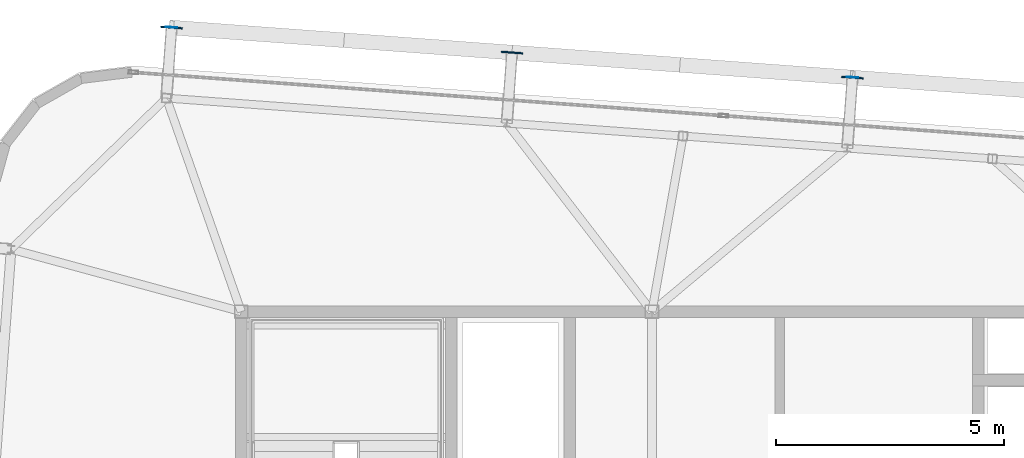
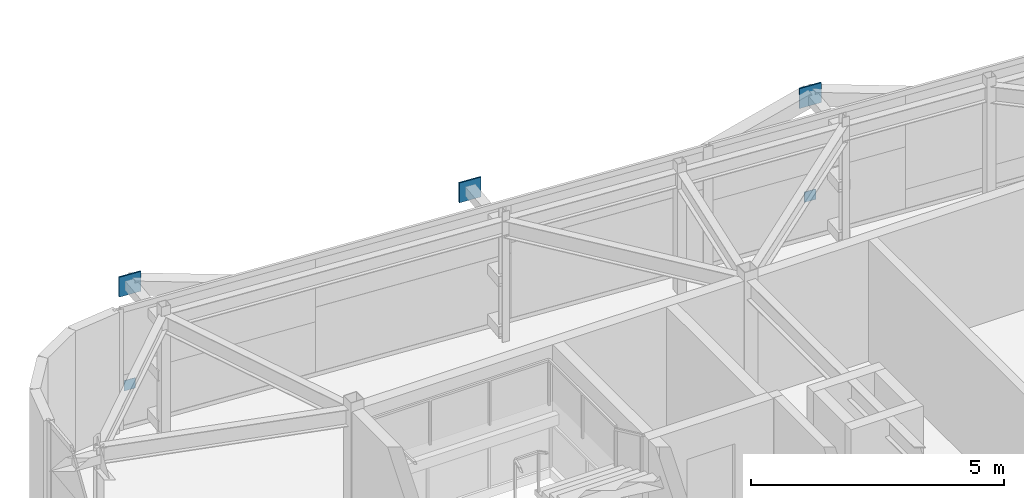
# One storey, part 29 of 34: 5 plates.
"""IFC4 building model written with IfcOpenShell, lengths in metres."""

from ifc_helpers import new_model, si_unit, direction, frame, origin, origin_2d, place, context, subcontext, project, spatial, rectangle, extrude, source, transform, mapped, material, layer, layer_set, type_object, element, save


model = new_model("IFC4")

# Units and contexts
model_context = context("Model", 3, precision=1e-05, world=origin(), true_north=direction((0.0, 1.0)))
body_context = subcontext(model_context, "Body", "Model", "MODEL_VIEW")
ifc_project = project(units=[si_unit("LENGTHUNIT", "METRE"), si_unit("AREAUNIT", "SQUARE_METRE"), si_unit("VOLUMEUNIT", "CUBIC_METRE"), si_unit("PLANEANGLEUNIT", "RADIAN"), si_unit("MASSUNIT", "GRAM", prefix="KILO")], contexts=[model_context])

# Site, building, storey
site_placement = place(None, origin())
site = spatial("IfcSite", under=ifc_project, at=site_placement, CompositionType="ELEMENT")
building_placement = place(site_placement, origin())
building = spatial("IfcBuilding", under=site, at=building_placement, Name="Taldren Reach Tower", CompositionType="ELEMENT")
storey_placement = place(building_placement, frame((0.0, 0.0, 239.75)))
storey = spatial("IfcBuildingStorey", under=building, at=storey_placement, Name="L73", CompositionType="ELEMENT", Elevation=239.75)

# Plates
ifc_material_1 = material(Name="Steel Gr 350 (C350L0)", Category="steel")
ifc_layer_1 = layer(ifc_material_1, 0.011962890625)
ifc_layer_set_1 = layer_set([ifc_layer_1], Name="Steel Gr 350 (C350L0)")
plate_type_1 = type_object("IfcPlateType", Name="PL-CAP-250", PredefinedType="SHEET", material=ifc_layer_set_1)
shared_shape_1 = source(origin(), body_context, "Body", "SweptSolid", [
    extrude(rectangle(XDim=0.25, YDim=0.011962890625, at=origin_2d()), origin(), (0.0, 0.0, 1.0), 0.25),
])
for number, where, z_axis, x_axis, name in (
    (1, (17.4736328125, 38.230712890625, 0.094970703125), (0.0, 0.0, 1.0), (0.997314477224, -0.073238197128, 0.0), "Tie strut end cap plate B5-N1 L73"),
    (2, (32.3935546875, 37.135009765625, 0.094970703125), (0.0, 0.0, 1.0), (0.997314477224, -0.073238197128, 0.0), "Tie strut end cap plate B5-N3 L73"),
):
    element("IfcPlate", number, at=place(storey_placement, frame(where, z_axis=z_axis, x_axis=x_axis)), inside=storey, type_object=plate_type_1, Name=name, PredefinedType="SHEET", context=body_context, shape_type="MappedRepresentation", body=[
        mapped(shared_shape_1, transform((0.0, 0.0, 0.0), scale=1.0)),
    ])
ifc_material_2 = material(Name="Steel Gr 450 (C450L0)", Category="steel")
ifc_layer_2 = layer(ifc_material_2, 0.031982421875)
ifc_layer_set_2 = layer_set([ifc_layer_2], Name="Steel Gr 450 (C450L0)")
plate_type_2 = type_object("IfcPlateType", Name="PL-GUSSET-32", PredefinedType="SHEET", material=ifc_layer_set_2)
shared_shape_2 = source(origin(), body_context, "Body", "SweptSolid", [
    extrude(rectangle(XDim=0.47998046875, YDim=0.031982421875, at=origin_2d()), origin(), (0.0, 0.0, 1.0), 0.47998046875),
])
for number, where, z_axis, x_axis, name in (
    (3, (17.473388671875, 38.224609375, 2.409912109375), (0.0, 0.0, 1.0), (0.997314477224, -0.073238197128, 0.0), "Exoskeleton star-node gusset plate B5-N1 L73"),
    (4, (24.93310546875, 37.677001953125, 2.409912109375), (0.0, 0.0, 1.0), (0.997314477224, -0.073238197128, 0.0), "Exoskeleton star-node gusset plate B5-N2 L73"),
    (5, (32.39306640625, 37.129150390625, 2.409912109375), (0.0, 0.0, 1.0), (0.997314477224, -0.073238197128, 0.0), "Exoskeleton star-node gusset plate B5-N3 L73"),
):
    element("IfcPlate", number, at=place(storey_placement, frame(where, z_axis=z_axis, x_axis=x_axis)), inside=storey, type_object=plate_type_2, Name=name, PredefinedType="SHEET", context=body_context, shape_type="MappedRepresentation", body=[
        mapped(shared_shape_2, transform((0.0, 0.0, 0.0), scale=1.0)),
    ])

save(model, "model.ifc")
